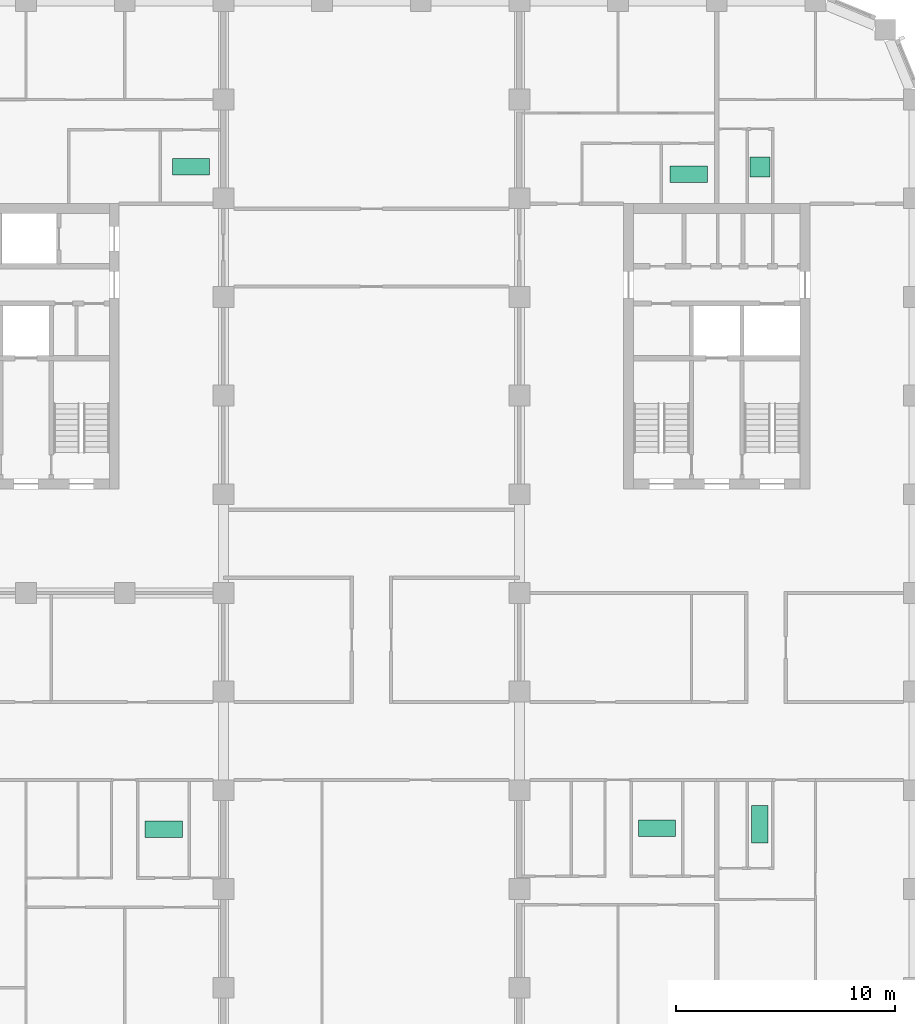
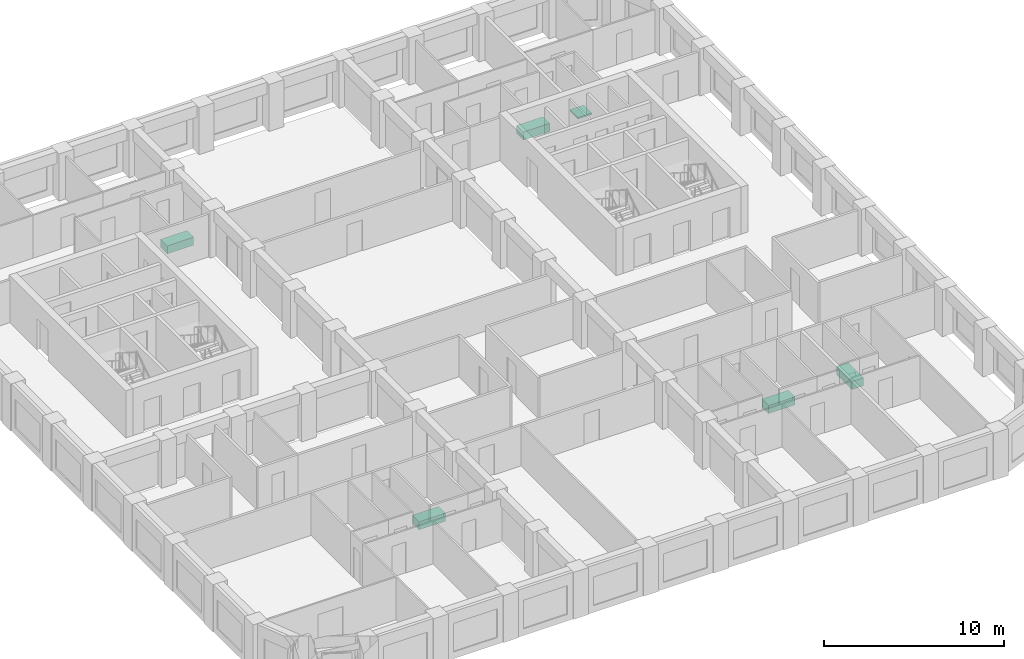
# One storey, part 12 of 12: 6 sanitary terminals.
"""IFC4 building model written with IfcOpenShell, lengths in metres."""

from ifc_helpers import new_model, si_unit, direction, frame, origin, origin_2d, place, context, subcontext, project, spatial, rectangle, extrude, material, type_object, element, save


model = new_model("IFC4")

# Units and contexts
model_context = context("Model", 3, precision=1e-05, world=origin(), true_north=direction((0.0, 1.0)))
body_context = subcontext(model_context, "Body", "Model", "MODEL_VIEW")
ifc_project = project(units=[si_unit("LENGTHUNIT", "METRE"), si_unit("AREAUNIT", "SQUARE_METRE"), si_unit("VOLUMEUNIT", "CUBIC_METRE"), si_unit("PLANEANGLEUNIT", "RADIAN"), si_unit("MASSUNIT", "GRAM", prefix="KILO")], contexts=[model_context])

# Site, building, storey
site_placement = place(None, origin())
site = spatial("IfcSite", under=ifc_project, at=site_placement, CompositionType="ELEMENT")
building_placement = place(site_placement, origin())
building = spatial("IfcBuilding", under=site, at=building_placement, Name="Girih Gate Residences", CompositionType="ELEMENT")
storey_placement = place(building_placement, frame((0.0, 0.0, 139.800048828125)))
storey = spatial("IfcBuildingStorey", under=building, at=storey_placement, Name="L39", CompositionType="ELEMENT", Elevation=139.800048828125)

# Sanitary terminals
ifc_material = material(Name="Acrylic")
sanitary_terminal_type_1 = type_object("IfcSanitaryTerminalType", Name="Bath 1700", PredefinedType="BATH", material=ifc_material)
for number, where, z_axis, x_axis, name in (
    (1, (15.27587890625, 11.73388671875, 0.0), (0.0, 0.0, 1.0), (1.0, 0.0, 0.0), "Bath 1700 L39"),
    (2, (16.528076171875, 41.94091796875, 0.0), (0.0, 0.0, 1.0), (1.0, 0.0, 0.0), "Bath 1700 L39"),
):
    element("IfcSanitaryTerminal", number, at=place(storey_placement, frame(where, z_axis=z_axis, x_axis=x_axis)), inside=storey, type_object=sanitary_terminal_type_1, Name=name, PredefinedType="BATH", context=body_context, shape_type="SweptSolid", body=[
        extrude(rectangle(XDim=1.699951171875, YDim=0.75, at=origin_2d()), origin(), (0.0, 0.0, 1.0), 0.550048828125),
    ])
sanitary_terminal_1_placement = place(storey_placement, frame((42.470947265625, 11.9541015625, 0.0), z_axis=(0.0, 0.0, 1.0), x_axis=(1.0, 0.0, 0.0)))
element("IfcSanitaryTerminal", 3, at=sanitary_terminal_1_placement, inside=storey, type_object=sanitary_terminal_type_1, Name="Bath 1700 L39", PredefinedType="BATH", context=body_context, shape_type="SweptSolid", body=[
    extrude(rectangle(XDim=0.75, YDim=1.699951171875, at=origin_2d()), origin(), (0.0, 0.0, 1.0), 0.550048828125),
])
for number, where, z_axis, x_axis, name in (
    (4, (37.77294921875, 11.77392578125, 0.0), (0.0, 0.0, 1.0), (1.0, 0.0, 0.0), "Bath 1700 L39"),
    (5, (39.218017578125, 41.595947265625, 0.0), (0.0, 0.0, 1.0), (1.0, 0.0, 0.0), "Bath 1700 L39"),
):
    element("IfcSanitaryTerminal", number, at=place(storey_placement, frame(where, z_axis=z_axis, x_axis=x_axis)), inside=storey, type_object=sanitary_terminal_type_1, Name=name, PredefinedType="BATH", context=body_context, shape_type="SweptSolid", body=[
        extrude(rectangle(XDim=1.699951171875, YDim=0.75, at=origin_2d()), origin(), (0.0, 0.0, 1.0), 0.550048828125),
    ])
sanitary_terminal_type_2 = type_object("IfcSanitaryTerminalType", Name="Shower tray 900", PredefinedType="SHOWER", material=ifc_material)
sanitary_terminal_2_placement = place(storey_placement, frame((42.470947265625, 41.924072265625, 0.0), z_axis=(0.0, 0.0, 1.0), x_axis=(1.0, 0.0, 0.0)))
element("IfcSanitaryTerminal", 6, at=sanitary_terminal_2_placement, inside=storey, type_object=sanitary_terminal_type_2, Name="Shower tray 900 L39", PredefinedType="SHOWER", context=body_context, shape_type="SweptSolid", body=[
    extrude(rectangle(XDim=0.89990234375, YDim=0.89990234375, at=origin_2d()), origin(), (0.0, 0.0, 1.0), 0.10009765625),
])

save(model, "model.ifc")
